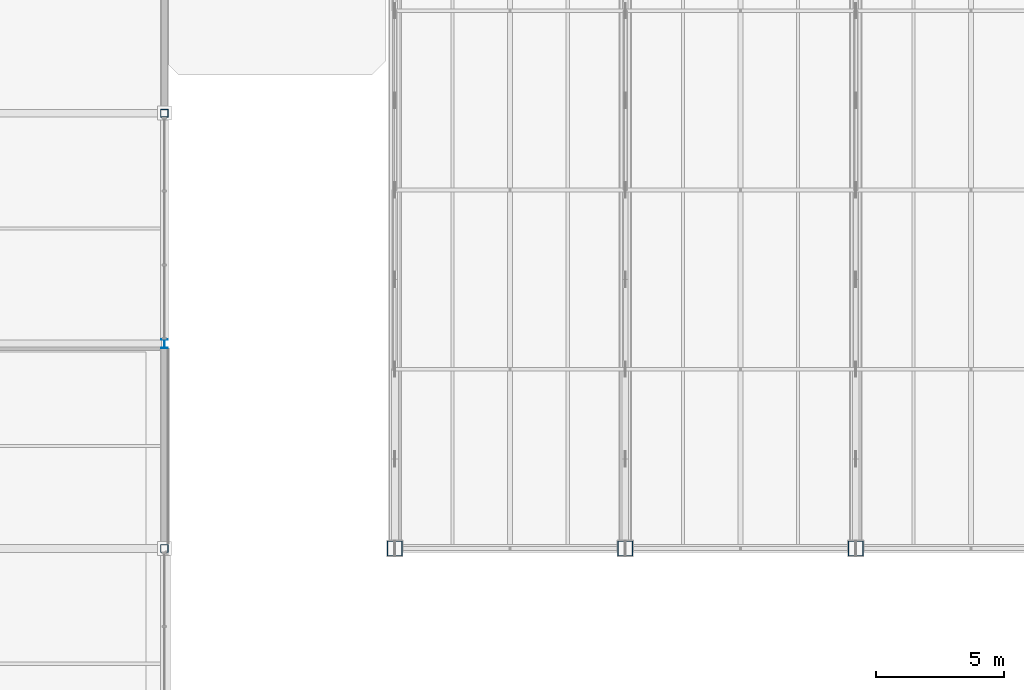
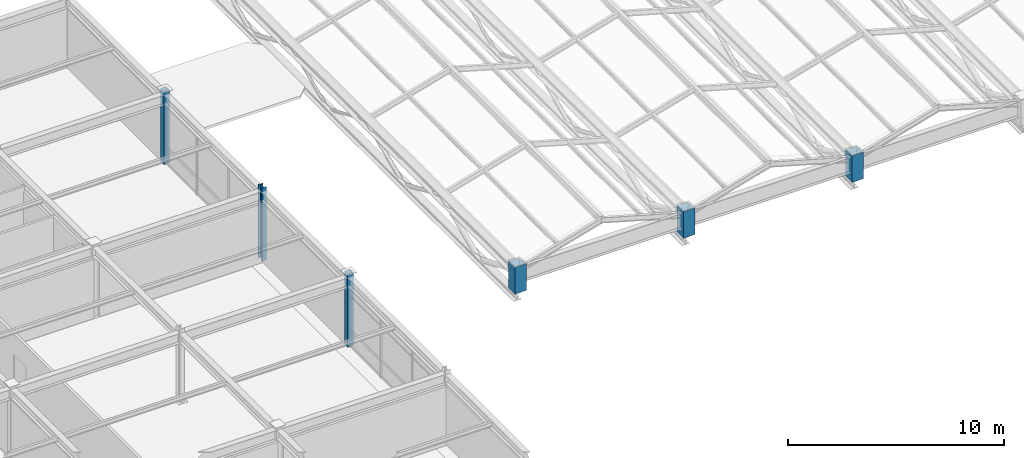
# One storey, part 5 of 108: 6 columns.
"""IFC4 building model written with IfcOpenShell, lengths in metres."""

from ifc_helpers import new_model, si_unit, direction, frame, origin, origin_2d, place, context, subcontext, project, spatial, hollow_rectangle, i_section, extrude, material, material_profile, profile_set, type_object, element, save


model = new_model("IFC4")

# Units and contexts
model_context = context("Model", 3, precision=1e-05, world=origin(), true_north=direction((0.0, 1.0)))
body_context = subcontext(model_context, "Body", "Model", "MODEL_VIEW")
ifc_project = project(units=[si_unit("LENGTHUNIT", "METRE"), si_unit("AREAUNIT", "SQUARE_METRE"), si_unit("VOLUMEUNIT", "CUBIC_METRE"), si_unit("PLANEANGLEUNIT", "RADIAN"), si_unit("MASSUNIT", "GRAM", prefix="KILO")], contexts=[model_context])

# Site, building, storey
site_placement = place(None, origin())
site = spatial("IfcSite", under=ifc_project, at=site_placement, CompositionType="ELEMENT")
building_placement = place(site_placement, origin())
building = spatial("IfcBuilding", under=site, at=building_placement, Name="Suzunagisa Mobility Hub", CompositionType="ELEMENT")
storey_placement = place(building_placement, frame((0.0, 0.0, 9.300048828125)))
storey = spatial("IfcBuildingStorey", under=building, at=storey_placement, Name="L02", CompositionType="ELEMENT", Elevation=9.300048828125)

# Columns
ifc_material = material(Name="Steel SN490B", Category="steel")
ifc_material_profile_1 = material_profile(ifc_material, i_section(OverallWidth=0.25, OverallDepth=0.340087890625, WebThickness=0.009033203125, FlangeThickness=0.013916015625, FilletRadius=0.010009765625, at=origin_2d()), Name="H-340x250x9x14")
ifc_profile_set_1 = profile_set([ifc_material_profile_1], Name="Steel SN490B")
column_type_1 = type_object("IfcColumnType", Name="Steel Column CL-02 H-340x250x9x14", PredefinedType="COLUMN", material=ifc_profile_set_1)
column_placement = place(storey_placement, frame((36.0, 44.0, 0.0), z_axis=(0.0, 0.0, 1.0), x_axis=(1.0, 0.0, 0.0)))
element("IfcColumn", 1, at=column_placement, inside=storey, type_object=column_type_1, Name="L02 Column 82", PredefinedType="COLUMN", context=body_context, shape_type="SweptSolid", body=[
    extrude(i_section(OverallWidth=0.25, OverallDepth=0.340087890625, WebThickness=0.009033203125, FlangeThickness=0.013916015625, FilletRadius=0.010009765625, at=origin_2d()), origin(), (0.0, 0.0, 1.0), 4.139892578125),
])
ifc_material_profile_2 = material_profile(ifc_material, hollow_rectangle(XDim=0.60009765625, YDim=0.60009765625, WallThickness=0.031982421875, at=origin_2d()), Name="BOX-600x600x32")
ifc_profile_set_2 = profile_set([ifc_material_profile_2], Name="Steel SN490B")
column_type_2 = type_object("IfcColumnType", Name="Steel Column CL-05 BOX-600x600x32", PredefinedType="COLUMN", material=ifc_profile_set_2)
for number, where, z_axis, x_axis, name in (
    (2, (45.0, 36.0, 0.0), (0.0, 0.0, 1.0), (1.0, 0.0, 0.0), "L02 Column 115"),
    (3, (54.0, 36.0, 0.0), (0.0, 0.0, 1.0), (1.0, 0.0, 0.0), "L02 Column 126"),
    (4, (63.0, 36.0, 0.0), (0.0, 0.0, 1.0), (1.0, 0.0, 0.0), "L02 Column 135"),
):
    element("IfcColumn", number, at=place(storey_placement, frame(where, z_axis=z_axis, x_axis=x_axis)), inside=storey, type_object=column_type_2, Name=name, PredefinedType="COLUMN", context=body_context, shape_type="SweptSolid", body=[
        extrude(hollow_rectangle(XDim=0.60009765625, YDim=0.60009765625, WallThickness=0.031982421875, at=origin_2d()), origin(), (0.0, 0.0, 1.0), 1.5),
    ])
ifc_material_profile_3 = material_profile(ifc_material, hollow_rectangle(XDim=0.300048828125, YDim=0.300048828125, WallThickness=0.011962890625, at=origin_2d()), Name="BCR-300x300x12")
ifc_profile_set_3 = profile_set([ifc_material_profile_3], Name="Steel SN490B")
column_type_3 = type_object("IfcColumnType", Name="Steel Column CL-12 BCR-300x300x12", PredefinedType="COLUMN", material=ifc_profile_set_3)
for number, where, z_axis, x_axis, name in (
    (5, (36.0, 36.0, 0.0), (0.0, 0.0, 1.0), (1.0, 0.0, 0.0), "L02 Column 81"),
    (6, (36.0, 53.0, 0.0), (0.0, 0.0, 1.0), (1.0, 0.0, 0.0), "L02 Column 83"),
):
    element("IfcColumn", number, at=place(storey_placement, frame(where, z_axis=z_axis, x_axis=x_axis)), inside=storey, type_object=column_type_3, Name=name, PredefinedType="COLUMN", context=body_context, shape_type="SweptSolid", body=[
        extrude(hollow_rectangle(XDim=0.300048828125, YDim=0.300048828125, WallThickness=0.011962890625, at=origin_2d()), origin(), (0.0, 0.0, 1.0), 4.139892578125),
    ])

save(model, "model.ifc")
